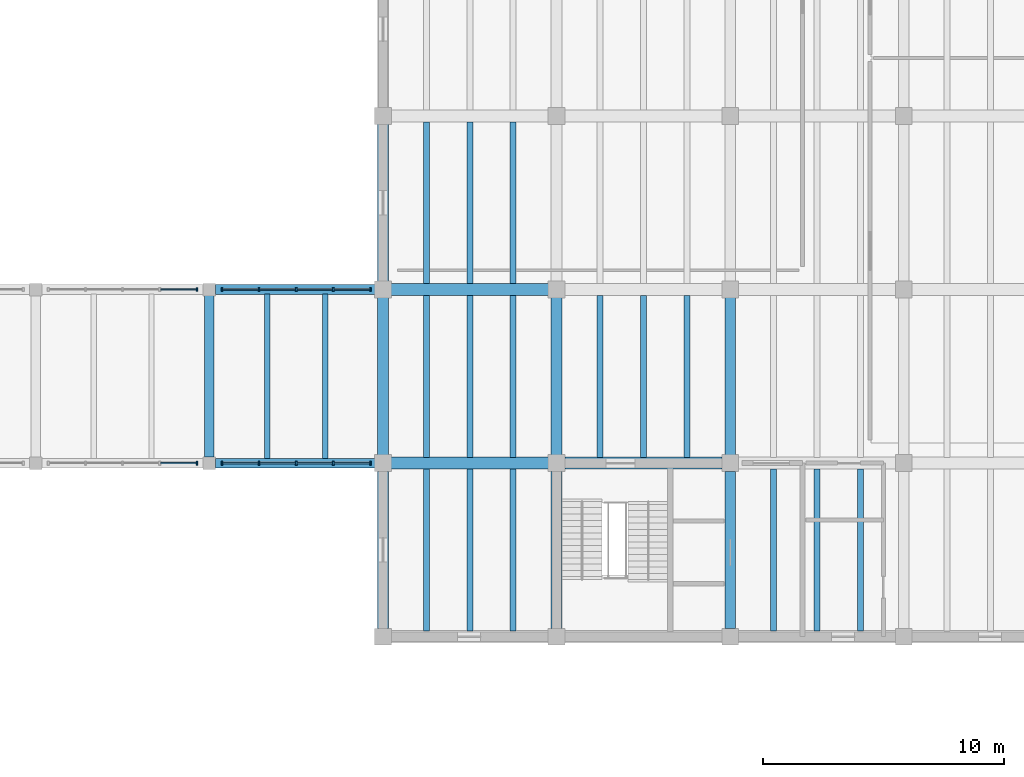
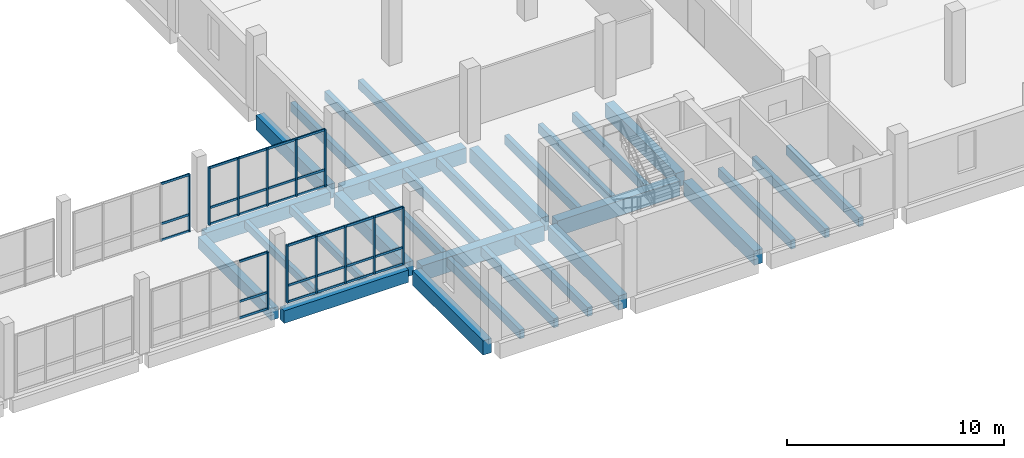
# One storey, part 38 of 72: 42 members, 30 beams, 4 elements without a shape of their own.
"""IFC4 building model written with IfcOpenShell, lengths in metres."""

from ifc_helpers import new_model, si_unit, direction, frame, origin, origin_2d, place, context, subcontext, project, spatial, rectangle, extrude, material, material_profile, profile_set, type_object, element, aggregate, save


model = new_model("IFC4")

# Units and contexts
model_context = context("Model", 3, precision=1e-05, world=origin(), true_north=direction((0.0, 1.0)))
body_context = subcontext(model_context, "Body", "Model", "MODEL_VIEW")
ifc_project = project(units=[si_unit("LENGTHUNIT", "METRE"), si_unit("AREAUNIT", "SQUARE_METRE"), si_unit("VOLUMEUNIT", "CUBIC_METRE"), si_unit("PLANEANGLEUNIT", "RADIAN"), si_unit("MASSUNIT", "GRAM", prefix="KILO")], contexts=[model_context])

# Site, building, storey
site_placement = place(None, origin())
site = spatial("IfcSite", under=ifc_project, at=site_placement, CompositionType="ELEMENT")
building_placement = place(site_placement, origin())
building = spatial("IfcBuilding", under=site, at=building_placement, Name="Qiaolan Assembly House", CompositionType="ELEMENT")
storey_placement = place(building_placement, frame((0.0, 0.0, 10.199951171875)))
storey = spatial("IfcBuildingStorey", under=building, at=storey_placement, Name="L02", CompositionType="ELEMENT", Elevation=10.199951171875)

# Beams
ifc_material_1 = material(Name="Concrete C40/50", Category="concrete")
ifc_material_profile_1 = material_profile(ifc_material_1, rectangle(XDim=0.39990234375, YDim=0.64990234375, at=origin_2d()), Name="RCB 400x650")
ifc_profile_set_1 = profile_set([ifc_material_profile_1], Name="Concrete C40/50")
beam_type_1 = type_object("IfcBeamType", Name="BM-RC-400x650", PredefinedType="BEAM", material=ifc_profile_set_1)
beam_placement = place(storey_placement, frame((129.60009765625, 36.25, -0.594970703125), z_axis=(0.0, 1.0, 0.0), x_axis=(-1.0, 0.0, 0.0)))
element("IfcBeam", 1, at=beam_placement, inside=storey, type_object=beam_type_1, Name="GB-06 beam BMY-CLS-L02-03-00", PredefinedType="BEAM", context=body_context, shape_type="SweptSolid", body=[
    extrude(rectangle(XDim=0.39990234375, YDim=0.64990234375, at=origin_2d()), origin(), (0.0, 0.0, 1.0), 6.699951171875),
])
ifc_material_profile_2 = material_profile(ifc_material_1, rectangle(XDim=0.39990234375, YDim=0.699951171875, at=origin_2d()), Name="RCB 400x700")
ifc_profile_set_2 = profile_set([ifc_material_profile_2], Name="Concrete C40/50")
beam_type_2 = type_object("IfcBeamType", Name="BM-RC-400x700", PredefinedType="BEAM", material=ifc_profile_set_2)
for number, where, z_axis, x_axis, name in (
    (2, (129.85009765625, 36.0, -0.619873046875), (1.0, 0.0, 0.0), (0.0, 1.0, 0.0), "GB-05 beam BMX-CLS-L02-03-00"),
    (3, (129.85009765625, 43.199951171875, -0.619873046875), (1.0, 0.0, 0.0), (0.0, 1.0, 0.0), "GB-05 beam BMX-CLS-L02-03-01"),
):
    element("IfcBeam", number, at=place(storey_placement, frame(where, z_axis=z_axis, x_axis=x_axis)), inside=storey, type_object=beam_type_2, Name=name, PredefinedType="BEAM", context=body_context, shape_type="SweptSolid", body=[
        extrude(rectangle(XDim=0.39990234375, YDim=0.699951171875, at=origin_2d()), origin(), (0.0, 0.0, 1.0), 6.60986328125),
    ])
ifc_material_profile_3 = material_profile(ifc_material_1, rectangle(XDim=0.449951171875, YDim=0.800048828125, at=origin_2d()), Name="RCB 450x800")
ifc_profile_set_3 = profile_set([ifc_material_profile_3], Name="Concrete C40/50")
beam_type_3 = type_object("IfcBeamType", Name="BM-RC-450x800", PredefinedType="BEAM", material=ifc_profile_set_3)
for number, where, z_axis, x_axis, name in (
    (4, (136.800048828125, 29.139892578125, -0.669921875), (0.0, 1.0, 0.0), (-1.0, 0.0, 0.0), "GB-03 beam BMY-LB-L02-00-00"),
    (5, (136.800048828125, 36.340087890625, -0.669921875), (0.0, 1.0, 0.0), (-1.0, 0.0, 0.0), "GB-03 beam BMY-LB-L02-00-01"),
    (6, (136.800048828125, 43.5400390625, -0.669921875), (0.0, 1.0, 0.0), (-1.0, 0.0, 0.0), "GB-03 beam BMY-LB-L02-00-02"),
    (7, (144.0, 29.139892578125, -0.669921875), (0.0, 1.0, 0.0), (-1.0, 0.0, 0.0), "GB-03 beam BMY-LB-L02-01-00"),
    (8, (144.0, 36.340087890625, -0.669921875), (0.0, 1.0, 0.0), (-1.0, 0.0, 0.0), "GB-03 beam BMY-LB-L02-01-01"),
    (9, (151.199951171875, 29.139892578125, -0.669921875), (0.0, 1.0, 0.0), (-1.0, 0.0, 0.0), "GB-03 beam BMY-LB-L02-02-00"),
    (10, (151.199951171875, 36.340087890625, -0.669921875), (0.0, 1.0, 0.0), (-1.0, 0.0, 0.0), "GB-03 beam BMY-LB-L02-02-01"),
):
    element("IfcBeam", number, at=place(storey_placement, frame(where, z_axis=z_axis, x_axis=x_axis)), inside=storey, type_object=beam_type_3, Name=name, PredefinedType="BEAM", context=body_context, shape_type="SweptSolid", body=[
        extrude(rectangle(XDim=0.449951171875, YDim=0.800048828125, at=origin_2d()), origin(), (0.0, 0.0, 1.0), 6.52001953125),
    ])
ifc_material_2 = material(Name="Concrete C45/55", Category="concrete")
ifc_material_profile_4 = material_profile(ifc_material_2, rectangle(XDim=0.5, YDim=0.85009765625, at=origin_2d()), Name="RCB 500x850")
ifc_profile_set_4 = profile_set([ifc_material_profile_4], Name="Concrete C45/55")
beam_type_4 = type_object("IfcBeamType", Name="BM-RC-500x850", PredefinedType="BEAM", material=ifc_profile_set_4)
for number, where, z_axis, x_axis, name in (
    (11, (137.139892578125, 36.0, -0.695068359375), (1.0, 0.0, 0.0), (0.0, 1.0, 0.0), "GB-02 beam BMX-LB-L02-00-01"),
    (12, (144.340087890625, 36.0, -0.695068359375), (1.0, 0.0, 0.0), (0.0, 1.0, 0.0), "GB-02 beam BMX-LB-L02-01-01"),
    (13, (137.139892578125, 43.199951171875, -0.695068359375), (1.0, 0.0, 0.0), (0.0, 1.0, 0.0), "GB-02 beam BMX-LB-L02-00-02"),
):
    element("IfcBeam", number, at=place(storey_placement, frame(where, z_axis=z_axis, x_axis=x_axis)), inside=storey, type_object=beam_type_4, Name=name, PredefinedType="BEAM", context=body_context, shape_type="SweptSolid", body=[
        extrude(rectangle(XDim=0.5, YDim=0.85009765625, at=origin_2d()), origin(), (0.0, 0.0, 1.0), 6.52001953125),
    ])

# Curtain wall, member
ifc_material_3 = material(Name="Anodised bronze aluminium", Category="aluminium")
curtain_wall_type = type_object("IfcCurtainWallType", Name="CW-CLOISTER-420", PredefinedType="NOTDEFINED", material=ifc_material_3)
curtain_wall_1_placement = place(storey_placement, origin())
curtain_wall_1 = element("IfcCurtainWall", 14, at=curtain_wall_1_placement, inside=storey, type_object=curtain_wall_type, Name="CW-05 South Cloister outer arcade L02-3", PredefinedType="NOTDEFINED")
ifc_material_profile_5 = material_profile(ifc_material_3, rectangle(XDim=0.070068359375, YDim=0.155029296875, at=origin_2d()), Name="MUL 70x155")
ifc_profile_set_5 = profile_set([ifc_material_profile_5], Name="Anodised bronze aluminium")
member_type_1 = type_object("IfcMemberType", Name="CW-CLOISTER-420-MUL", PredefinedType="MULLION", material=ifc_profile_set_5)
member_1_placement = place(storey_placement, frame((129.080078125, 36.0, 0.0), z_axis=(0.0, 0.0, 1.0), x_axis=(1.0, 0.0, 0.0)))
member_1 = element("IfcMember", 15, at=member_1_placement, type_object=member_type_1, Name="ML-06 mullion CW-CLS-OUT-L02-2-5", PredefinedType="MULLION", context=body_context, shape_type="SweptSolid", body=[
    extrude(rectangle(XDim=0.070068359375, YDim=0.155029296875, at=origin_2d()), origin(), (0.0, 0.0, 1.0), 3.219970703125),
])

curtain_wall_2_placement = place(storey_placement, origin())
curtain_wall_2 = element("IfcCurtainWall", 16, at=curtain_wall_2_placement, inside=storey, type_object=curtain_wall_type, Name="CW-05 South Cloister court arcade L02-3", PredefinedType="NOTDEFINED")
member_2_placement = place(storey_placement, frame((129.080078125, 43.199951171875, 0.0), z_axis=(0.0, 0.0, 1.0), x_axis=(-1.0, 0.0, 0.0)))
member_2 = element("IfcMember", 17, at=member_2_placement, type_object=member_type_1, Name="ML-06 mullion CW-CLS-CRT-L02-2-1", PredefinedType="MULLION", context=body_context, shape_type="SweptSolid", body=[
    extrude(rectangle(XDim=0.070068359375, YDim=0.155029296875, at=origin_2d()), origin(), (0.0, 0.0, 1.0), 3.219970703125),
])

# Curtain wall, members
curtain_wall_3_placement = place(storey_placement, origin())
curtain_wall_3 = element("IfcCurtainWall", 18, at=curtain_wall_3_placement, inside=storey, type_object=curtain_wall_type, Name="CW-05 South Cloister outer arcade L02-4", PredefinedType="NOTDEFINED")
member_3_placement = place(storey_placement, frame((130.1201171875, 36.0, 0.0), z_axis=(0.0, 0.0, 1.0), x_axis=(1.0, 0.0, 0.0)))
member_3 = element("IfcMember", 19, at=member_3_placement, type_object=member_type_1, Name="ML-06 mullion CW-CLS-OUT-L02-3-1", PredefinedType="MULLION", context=body_context, shape_type="SweptSolid", body=[
    extrude(rectangle(XDim=0.070068359375, YDim=0.155029296875, at=origin_2d()), origin(), (0.0, 0.0, 1.0), 3.219970703125),
])
member_4_placement = place(storey_placement, frame((131.659912109375, 36.0, 0.0), z_axis=(0.0, 0.0, 1.0), x_axis=(1.0, 0.0, 0.0)))
member_4 = element("IfcMember", 20, at=member_4_placement, type_object=member_type_1, Name="ML-06 mullion CW-CLS-OUT-L02-3-2", PredefinedType="MULLION", context=body_context, shape_type="SweptSolid", body=[
    extrude(rectangle(XDim=0.070068359375, YDim=0.155029296875, at=origin_2d()), origin(), (0.0, 0.0, 1.0), 3.219970703125),
])
member_5_placement = place(storey_placement, frame((133.199951171875, 36.0, 0.0), z_axis=(0.0, 0.0, 1.0), x_axis=(1.0, 0.0, 0.0)))
member_5 = element("IfcMember", 21, at=member_5_placement, type_object=member_type_1, Name="ML-06 mullion CW-CLS-OUT-L02-3-3", PredefinedType="MULLION", context=body_context, shape_type="SweptSolid", body=[
    extrude(rectangle(XDim=0.070068359375, YDim=0.155029296875, at=origin_2d()), origin(), (0.0, 0.0, 1.0), 3.219970703125),
])
member_6_placement = place(storey_placement, frame((134.739990234375, 36.0, 0.0), z_axis=(0.0, 0.0, 1.0), x_axis=(1.0, 0.0, 0.0)))
member_6 = element("IfcMember", 22, at=member_6_placement, type_object=member_type_1, Name="ML-06 mullion CW-CLS-OUT-L02-3-4", PredefinedType="MULLION", context=body_context, shape_type="SweptSolid", body=[
    extrude(rectangle(XDim=0.070068359375, YDim=0.155029296875, at=origin_2d()), origin(), (0.0, 0.0, 1.0), 3.219970703125),
])
member_7_placement = place(storey_placement, frame((136.280029296875, 36.0, 0.0), z_axis=(0.0, 0.0, 1.0), x_axis=(1.0, 0.0, 0.0)))
member_7 = element("IfcMember", 23, at=member_7_placement, type_object=member_type_1, Name="ML-06 mullion CW-CLS-OUT-L02-3-5", PredefinedType="MULLION", context=body_context, shape_type="SweptSolid", body=[
    extrude(rectangle(XDim=0.070068359375, YDim=0.155029296875, at=origin_2d()), origin(), (0.0, 0.0, 1.0), 3.219970703125),
])

curtain_wall_4_placement = place(storey_placement, origin())
curtain_wall_4 = element("IfcCurtainWall", 24, at=curtain_wall_4_placement, inside=storey, type_object=curtain_wall_type, Name="CW-05 South Cloister court arcade L02-4", PredefinedType="NOTDEFINED")
member_8_placement = place(storey_placement, frame((136.280029296875, 43.199951171875, 0.0), z_axis=(0.0, 0.0, 1.0), x_axis=(-1.0, 0.0, 0.0)))
member_8 = element("IfcMember", 25, at=member_8_placement, type_object=member_type_1, Name="ML-06 mullion CW-CLS-CRT-L02-3-1", PredefinedType="MULLION", context=body_context, shape_type="SweptSolid", body=[
    extrude(rectangle(XDim=0.070068359375, YDim=0.155029296875, at=origin_2d()), origin(), (0.0, 0.0, 1.0), 3.219970703125),
])
member_9_placement = place(storey_placement, frame((134.739990234375, 43.199951171875, 0.0), z_axis=(0.0, 0.0, 1.0), x_axis=(-1.0, 0.0, 0.0)))
member_9 = element("IfcMember", 26, at=member_9_placement, type_object=member_type_1, Name="ML-06 mullion CW-CLS-CRT-L02-3-2", PredefinedType="MULLION", context=body_context, shape_type="SweptSolid", body=[
    extrude(rectangle(XDim=0.070068359375, YDim=0.155029296875, at=origin_2d()), origin(), (0.0, 0.0, 1.0), 3.219970703125),
])
member_10_placement = place(storey_placement, frame((133.199951171875, 43.199951171875, 0.0), z_axis=(0.0, 0.0, 1.0), x_axis=(-1.0, 0.0, 0.0)))
member_10 = element("IfcMember", 27, at=member_10_placement, type_object=member_type_1, Name="ML-06 mullion CW-CLS-CRT-L02-3-3", PredefinedType="MULLION", context=body_context, shape_type="SweptSolid", body=[
    extrude(rectangle(XDim=0.070068359375, YDim=0.155029296875, at=origin_2d()), origin(), (0.0, 0.0, 1.0), 3.219970703125),
])
member_11_placement = place(storey_placement, frame((131.659912109375, 43.199951171875, 0.0), z_axis=(0.0, 0.0, 1.0), x_axis=(-1.0, 0.0, 0.0)))
member_11 = element("IfcMember", 28, at=member_11_placement, type_object=member_type_1, Name="ML-06 mullion CW-CLS-CRT-L02-3-4", PredefinedType="MULLION", context=body_context, shape_type="SweptSolid", body=[
    extrude(rectangle(XDim=0.070068359375, YDim=0.155029296875, at=origin_2d()), origin(), (0.0, 0.0, 1.0), 3.219970703125),
])
member_12_placement = place(storey_placement, frame((130.1201171875, 43.199951171875, 0.0), z_axis=(0.0, 0.0, 1.0), x_axis=(-1.0, 0.0, 0.0)))
member_12 = element("IfcMember", 29, at=member_12_placement, type_object=member_type_1, Name="ML-06 mullion CW-CLS-CRT-L02-3-5", PredefinedType="MULLION", context=body_context, shape_type="SweptSolid", body=[
    extrude(rectangle(XDim=0.070068359375, YDim=0.155029296875, at=origin_2d()), origin(), (0.0, 0.0, 1.0), 3.219970703125),
])

# Member
ifc_material_profile_6 = material_profile(ifc_material_3, rectangle(XDim=0.06201171875, YDim=0.125, at=origin_2d()), Name="TRN 62x125")
ifc_profile_set_6 = profile_set([ifc_material_profile_6], Name="Anodised bronze aluminium")
member_type_2 = type_object("IfcMemberType", Name="CW-CLOISTER-420-TRN", PredefinedType="USERDEFINED", material=ifc_profile_set_6)
member_13_placement = place(storey_placement, frame((127.574951171875, 36.0, 0.030029296875), z_axis=(1.0, 0.0, 0.0), x_axis=(0.0, 1.0, 0.0)))
member_13 = element("IfcMember", 30, at=member_13_placement, type_object=member_type_2, Name="TR-06 transom CW-CLS-OUT-L02-2-4-1", ObjectType="TRANSOM", PredefinedType="USERDEFINED", context=body_context, shape_type="SweptSolid", body=[
    extrude(rectangle(XDim=0.06201171875, YDim=0.125, at=origin_2d()), origin(), (0.0, 0.0, 1.0), 1.469970703125),
])

member_14_placement = place(storey_placement, frame((127.574951171875, 36.0, 0.949951171875), z_axis=(1.0, 0.0, 0.0), x_axis=(0.0, 1.0, 0.0)))
member_14 = element("IfcMember", 31, at=member_14_placement, type_object=member_type_2, Name="TR-06 transom CW-CLS-OUT-L02-2-4-2", ObjectType="TRANSOM", PredefinedType="USERDEFINED", context=body_context, shape_type="SweptSolid", body=[
    extrude(rectangle(XDim=0.06201171875, YDim=0.125, at=origin_2d()), origin(), (0.0, 0.0, 1.0), 1.469970703125),
])

member_15_placement = place(storey_placement, frame((127.574951171875, 36.0, 3.18994140625), z_axis=(1.0, 0.0, 0.0), x_axis=(0.0, 1.0, 0.0)))
member_15 = element("IfcMember", 32, at=member_15_placement, type_object=member_type_2, Name="TR-06 transom CW-CLS-OUT-L02-2-4-3", ObjectType="TRANSOM", PredefinedType="USERDEFINED", context=body_context, shape_type="SweptSolid", body=[
    extrude(rectangle(XDim=0.06201171875, YDim=0.125, at=origin_2d()), origin(), (0.0, 0.0, 1.0), 1.469970703125),
])

aggregate(curtain_wall_1, [member_1, member_13, member_14, member_15])

member_16_placement = place(storey_placement, frame((129.044921875, 43.199951171875, 0.030029296875), z_axis=(-1.0, 0.0, 0.0), x_axis=(0.0, -1.0, 0.0)))
member_16 = element("IfcMember", 33, at=member_16_placement, type_object=member_type_2, Name="TR-06 transom CW-CLS-CRT-L02-2-1-1", ObjectType="TRANSOM", PredefinedType="USERDEFINED", context=body_context, shape_type="SweptSolid", body=[
    extrude(rectangle(XDim=0.06201171875, YDim=0.125, at=origin_2d()), origin(), (0.0, 0.0, 1.0), 1.469970703125),
])

member_17_placement = place(storey_placement, frame((129.044921875, 43.199951171875, 0.949951171875), z_axis=(-1.0, 0.0, 0.0), x_axis=(0.0, -1.0, 0.0)))
member_17 = element("IfcMember", 34, at=member_17_placement, type_object=member_type_2, Name="TR-06 transom CW-CLS-CRT-L02-2-1-2", ObjectType="TRANSOM", PredefinedType="USERDEFINED", context=body_context, shape_type="SweptSolid", body=[
    extrude(rectangle(XDim=0.06201171875, YDim=0.125, at=origin_2d()), origin(), (0.0, 0.0, 1.0), 1.469970703125),
])

member_18_placement = place(storey_placement, frame((129.044921875, 43.199951171875, 3.18994140625), z_axis=(-1.0, 0.0, 0.0), x_axis=(0.0, -1.0, 0.0)))
member_18 = element("IfcMember", 35, at=member_18_placement, type_object=member_type_2, Name="TR-06 transom CW-CLS-CRT-L02-2-1-3", ObjectType="TRANSOM", PredefinedType="USERDEFINED", context=body_context, shape_type="SweptSolid", body=[
    extrude(rectangle(XDim=0.06201171875, YDim=0.125, at=origin_2d()), origin(), (0.0, 0.0, 1.0), 1.469970703125),
])

aggregate(curtain_wall_2, [member_2, member_16, member_17, member_18])

member_19_placement = place(storey_placement, frame((130.155029296875, 36.0, 0.030029296875), z_axis=(1.0, 0.0, 0.0), x_axis=(0.0, 1.0, 0.0)))
member_19 = element("IfcMember", 36, at=member_19_placement, type_object=member_type_2, Name="TR-06 transom CW-CLS-OUT-L02-3-1-1", ObjectType="TRANSOM", PredefinedType="USERDEFINED", context=body_context, shape_type="SweptSolid", body=[
    extrude(rectangle(XDim=0.06201171875, YDim=0.125, at=origin_2d()), origin(), (0.0, 0.0, 1.0), 1.469970703125),
])

member_20_placement = place(storey_placement, frame((130.155029296875, 36.0, 0.949951171875), z_axis=(1.0, 0.0, 0.0), x_axis=(0.0, 1.0, 0.0)))
member_20 = element("IfcMember", 37, at=member_20_placement, type_object=member_type_2, Name="TR-06 transom CW-CLS-OUT-L02-3-1-2", ObjectType="TRANSOM", PredefinedType="USERDEFINED", context=body_context, shape_type="SweptSolid", body=[
    extrude(rectangle(XDim=0.06201171875, YDim=0.125, at=origin_2d()), origin(), (0.0, 0.0, 1.0), 1.469970703125),
])

member_21_placement = place(storey_placement, frame((130.155029296875, 36.0, 3.18994140625), z_axis=(1.0, 0.0, 0.0), x_axis=(0.0, 1.0, 0.0)))
member_21 = element("IfcMember", 38, at=member_21_placement, type_object=member_type_2, Name="TR-06 transom CW-CLS-OUT-L02-3-1-3", ObjectType="TRANSOM", PredefinedType="USERDEFINED", context=body_context, shape_type="SweptSolid", body=[
    extrude(rectangle(XDim=0.06201171875, YDim=0.125, at=origin_2d()), origin(), (0.0, 0.0, 1.0), 1.469970703125),
])

member_22_placement = place(storey_placement, frame((131.695068359375, 36.0, 0.030029296875), z_axis=(1.0, 0.0, 0.0), x_axis=(0.0, 1.0, 0.0)))
member_22 = element("IfcMember", 39, at=member_22_placement, type_object=member_type_2, Name="TR-06 transom CW-CLS-OUT-L02-3-2-1", ObjectType="TRANSOM", PredefinedType="USERDEFINED", context=body_context, shape_type="SweptSolid", body=[
    extrude(rectangle(XDim=0.06201171875, YDim=0.125, at=origin_2d()), origin(), (0.0, 0.0, 1.0), 1.469970703125),
])

member_23_placement = place(storey_placement, frame((131.695068359375, 36.0, 0.949951171875), z_axis=(1.0, 0.0, 0.0), x_axis=(0.0, 1.0, 0.0)))
member_23 = element("IfcMember", 40, at=member_23_placement, type_object=member_type_2, Name="TR-06 transom CW-CLS-OUT-L02-3-2-2", ObjectType="TRANSOM", PredefinedType="USERDEFINED", context=body_context, shape_type="SweptSolid", body=[
    extrude(rectangle(XDim=0.06201171875, YDim=0.125, at=origin_2d()), origin(), (0.0, 0.0, 1.0), 1.469970703125),
])

member_24_placement = place(storey_placement, frame((131.695068359375, 36.0, 3.18994140625), z_axis=(1.0, 0.0, 0.0), x_axis=(0.0, 1.0, 0.0)))
member_24 = element("IfcMember", 41, at=member_24_placement, type_object=member_type_2, Name="TR-06 transom CW-CLS-OUT-L02-3-2-3", ObjectType="TRANSOM", PredefinedType="USERDEFINED", context=body_context, shape_type="SweptSolid", body=[
    extrude(rectangle(XDim=0.06201171875, YDim=0.125, at=origin_2d()), origin(), (0.0, 0.0, 1.0), 1.469970703125),
])

member_25_placement = place(storey_placement, frame((133.235107421875, 36.0, 0.030029296875), z_axis=(1.0, 0.0, 0.0), x_axis=(0.0, 1.0, 0.0)))
member_25 = element("IfcMember", 42, at=member_25_placement, type_object=member_type_2, Name="TR-06 transom CW-CLS-OUT-L02-3-3-1", ObjectType="TRANSOM", PredefinedType="USERDEFINED", context=body_context, shape_type="SweptSolid", body=[
    extrude(rectangle(XDim=0.06201171875, YDim=0.125, at=origin_2d()), origin(), (0.0, 0.0, 1.0), 1.469970703125),
])

member_26_placement = place(storey_placement, frame((133.235107421875, 36.0, 0.949951171875), z_axis=(1.0, 0.0, 0.0), x_axis=(0.0, 1.0, 0.0)))
member_26 = element("IfcMember", 43, at=member_26_placement, type_object=member_type_2, Name="TR-06 transom CW-CLS-OUT-L02-3-3-2", ObjectType="TRANSOM", PredefinedType="USERDEFINED", context=body_context, shape_type="SweptSolid", body=[
    extrude(rectangle(XDim=0.06201171875, YDim=0.125, at=origin_2d()), origin(), (0.0, 0.0, 1.0), 1.469970703125),
])

member_27_placement = place(storey_placement, frame((133.235107421875, 36.0, 3.18994140625), z_axis=(1.0, 0.0, 0.0), x_axis=(0.0, 1.0, 0.0)))
member_27 = element("IfcMember", 44, at=member_27_placement, type_object=member_type_2, Name="TR-06 transom CW-CLS-OUT-L02-3-3-3", ObjectType="TRANSOM", PredefinedType="USERDEFINED", context=body_context, shape_type="SweptSolid", body=[
    extrude(rectangle(XDim=0.06201171875, YDim=0.125, at=origin_2d()), origin(), (0.0, 0.0, 1.0), 1.469970703125),
])

member_28_placement = place(storey_placement, frame((134.77490234375, 36.0, 0.030029296875), z_axis=(1.0, 0.0, 0.0), x_axis=(0.0, 1.0, 0.0)))
member_28 = element("IfcMember", 45, at=member_28_placement, type_object=member_type_2, Name="TR-06 transom CW-CLS-OUT-L02-3-4-1", ObjectType="TRANSOM", PredefinedType="USERDEFINED", context=body_context, shape_type="SweptSolid", body=[
    extrude(rectangle(XDim=0.06201171875, YDim=0.125, at=origin_2d()), origin(), (0.0, 0.0, 1.0), 1.47021484375),
])

member_29_placement = place(storey_placement, frame((134.77490234375, 36.0, 0.949951171875), z_axis=(1.0, 0.0, 0.0), x_axis=(0.0, 1.0, 0.0)))
member_29 = element("IfcMember", 46, at=member_29_placement, type_object=member_type_2, Name="TR-06 transom CW-CLS-OUT-L02-3-4-2", ObjectType="TRANSOM", PredefinedType="USERDEFINED", context=body_context, shape_type="SweptSolid", body=[
    extrude(rectangle(XDim=0.06201171875, YDim=0.125, at=origin_2d()), origin(), (0.0, 0.0, 1.0), 1.47021484375),
])

member_30_placement = place(storey_placement, frame((134.77490234375, 36.0, 3.18994140625), z_axis=(1.0, 0.0, 0.0), x_axis=(0.0, 1.0, 0.0)))
member_30 = element("IfcMember", 47, at=member_30_placement, type_object=member_type_2, Name="TR-06 transom CW-CLS-OUT-L02-3-4-3", ObjectType="TRANSOM", PredefinedType="USERDEFINED", context=body_context, shape_type="SweptSolid", body=[
    extrude(rectangle(XDim=0.06201171875, YDim=0.125, at=origin_2d()), origin(), (0.0, 0.0, 1.0), 1.47021484375),
])

aggregate(curtain_wall_3, [member_3, member_4, member_5, member_6, member_7, member_19, member_20, member_21, member_22, member_23, member_24, member_25, member_26, member_27, member_28, member_29, member_30])

member_31_placement = place(storey_placement, frame((136.2451171875, 43.199951171875, 0.030029296875), z_axis=(-1.0, 0.0, 0.0), x_axis=(0.0, -1.0, 0.0)))
member_31 = element("IfcMember", 48, at=member_31_placement, type_object=member_type_2, Name="TR-06 transom CW-CLS-CRT-L02-3-1-1", ObjectType="TRANSOM", PredefinedType="USERDEFINED", context=body_context, shape_type="SweptSolid", body=[
    extrude(rectangle(XDim=0.06201171875, YDim=0.125, at=origin_2d()), origin(), (0.0, 0.0, 1.0), 1.47021484375),
])

member_32_placement = place(storey_placement, frame((136.2451171875, 43.199951171875, 0.949951171875), z_axis=(-1.0, 0.0, 0.0), x_axis=(0.0, -1.0, 0.0)))
member_32 = element("IfcMember", 49, at=member_32_placement, type_object=member_type_2, Name="TR-06 transom CW-CLS-CRT-L02-3-1-2", ObjectType="TRANSOM", PredefinedType="USERDEFINED", context=body_context, shape_type="SweptSolid", body=[
    extrude(rectangle(XDim=0.06201171875, YDim=0.125, at=origin_2d()), origin(), (0.0, 0.0, 1.0), 1.47021484375),
])

member_33_placement = place(storey_placement, frame((136.2451171875, 43.199951171875, 3.18994140625), z_axis=(-1.0, 0.0, 0.0), x_axis=(0.0, -1.0, 0.0)))
member_33 = element("IfcMember", 50, at=member_33_placement, type_object=member_type_2, Name="TR-06 transom CW-CLS-CRT-L02-3-1-3", ObjectType="TRANSOM", PredefinedType="USERDEFINED", context=body_context, shape_type="SweptSolid", body=[
    extrude(rectangle(XDim=0.06201171875, YDim=0.125, at=origin_2d()), origin(), (0.0, 0.0, 1.0), 1.47021484375),
])

member_34_placement = place(storey_placement, frame((134.705078125, 43.199951171875, 0.030029296875), z_axis=(-1.0, 0.0, 0.0), x_axis=(0.0, -1.0, 0.0)))
member_34 = element("IfcMember", 51, at=member_34_placement, type_object=member_type_2, Name="TR-06 transom CW-CLS-CRT-L02-3-2-1", ObjectType="TRANSOM", PredefinedType="USERDEFINED", context=body_context, shape_type="SweptSolid", body=[
    extrude(rectangle(XDim=0.06201171875, YDim=0.125, at=origin_2d()), origin(), (0.0, 0.0, 1.0), 1.469970703125),
])

member_35_placement = place(storey_placement, frame((134.705078125, 43.199951171875, 0.949951171875), z_axis=(-1.0, 0.0, 0.0), x_axis=(0.0, -1.0, 0.0)))
member_35 = element("IfcMember", 52, at=member_35_placement, type_object=member_type_2, Name="TR-06 transom CW-CLS-CRT-L02-3-2-2", ObjectType="TRANSOM", PredefinedType="USERDEFINED", context=body_context, shape_type="SweptSolid", body=[
    extrude(rectangle(XDim=0.06201171875, YDim=0.125, at=origin_2d()), origin(), (0.0, 0.0, 1.0), 1.469970703125),
])

member_36_placement = place(storey_placement, frame((134.705078125, 43.199951171875, 3.18994140625), z_axis=(-1.0, 0.0, 0.0), x_axis=(0.0, -1.0, 0.0)))
member_36 = element("IfcMember", 53, at=member_36_placement, type_object=member_type_2, Name="TR-06 transom CW-CLS-CRT-L02-3-2-3", ObjectType="TRANSOM", PredefinedType="USERDEFINED", context=body_context, shape_type="SweptSolid", body=[
    extrude(rectangle(XDim=0.06201171875, YDim=0.125, at=origin_2d()), origin(), (0.0, 0.0, 1.0), 1.469970703125),
])

member_37_placement = place(storey_placement, frame((133.1650390625, 43.199951171875, 0.030029296875), z_axis=(-1.0, 0.0, 0.0), x_axis=(0.0, -1.0, 0.0)))
member_37 = element("IfcMember", 54, at=member_37_placement, type_object=member_type_2, Name="TR-06 transom CW-CLS-CRT-L02-3-3-1", ObjectType="TRANSOM", PredefinedType="USERDEFINED", context=body_context, shape_type="SweptSolid", body=[
    extrude(rectangle(XDim=0.06201171875, YDim=0.125, at=origin_2d()), origin(), (0.0, 0.0, 1.0), 1.469970703125),
])

member_38_placement = place(storey_placement, frame((133.1650390625, 43.199951171875, 0.949951171875), z_axis=(-1.0, 0.0, 0.0), x_axis=(0.0, -1.0, 0.0)))
member_38 = element("IfcMember", 55, at=member_38_placement, type_object=member_type_2, Name="TR-06 transom CW-CLS-CRT-L02-3-3-2", ObjectType="TRANSOM", PredefinedType="USERDEFINED", context=body_context, shape_type="SweptSolid", body=[
    extrude(rectangle(XDim=0.06201171875, YDim=0.125, at=origin_2d()), origin(), (0.0, 0.0, 1.0), 1.469970703125),
])

member_39_placement = place(storey_placement, frame((133.1650390625, 43.199951171875, 3.18994140625), z_axis=(-1.0, 0.0, 0.0), x_axis=(0.0, -1.0, 0.0)))
member_39 = element("IfcMember", 56, at=member_39_placement, type_object=member_type_2, Name="TR-06 transom CW-CLS-CRT-L02-3-3-3", ObjectType="TRANSOM", PredefinedType="USERDEFINED", context=body_context, shape_type="SweptSolid", body=[
    extrude(rectangle(XDim=0.06201171875, YDim=0.125, at=origin_2d()), origin(), (0.0, 0.0, 1.0), 1.469970703125),
])

member_40_placement = place(storey_placement, frame((131.625, 43.199951171875, 0.030029296875), z_axis=(-1.0, 0.0, 0.0), x_axis=(0.0, -1.0, 0.0)))
member_40 = element("IfcMember", 57, at=member_40_placement, type_object=member_type_2, Name="TR-06 transom CW-CLS-CRT-L02-3-4-1", ObjectType="TRANSOM", PredefinedType="USERDEFINED", context=body_context, shape_type="SweptSolid", body=[
    extrude(rectangle(XDim=0.06201171875, YDim=0.125, at=origin_2d()), origin(), (0.0, 0.0, 1.0), 1.469970703125),
])

member_41_placement = place(storey_placement, frame((131.625, 43.199951171875, 0.949951171875), z_axis=(-1.0, 0.0, 0.0), x_axis=(0.0, -1.0, 0.0)))
member_41 = element("IfcMember", 58, at=member_41_placement, type_object=member_type_2, Name="TR-06 transom CW-CLS-CRT-L02-3-4-2", ObjectType="TRANSOM", PredefinedType="USERDEFINED", context=body_context, shape_type="SweptSolid", body=[
    extrude(rectangle(XDim=0.06201171875, YDim=0.125, at=origin_2d()), origin(), (0.0, 0.0, 1.0), 1.469970703125),
])

member_42_placement = place(storey_placement, frame((131.625, 43.199951171875, 3.18994140625), z_axis=(-1.0, 0.0, 0.0), x_axis=(0.0, -1.0, 0.0)))
member_42 = element("IfcMember", 59, at=member_42_placement, type_object=member_type_2, Name="TR-06 transom CW-CLS-CRT-L02-3-4-3", ObjectType="TRANSOM", PredefinedType="USERDEFINED", context=body_context, shape_type="SweptSolid", body=[
    extrude(rectangle(XDim=0.06201171875, YDim=0.125, at=origin_2d()), origin(), (0.0, 0.0, 1.0), 1.469970703125),
])

aggregate(curtain_wall_4, [member_8, member_9, member_10, member_11, member_12, member_31, member_32, member_33, member_34, member_35, member_36, member_37, member_38, member_39, member_40, member_41, member_42])

# Beams
ifc_material_profile_7 = material_profile(ifc_material_1, rectangle(XDim=0.219970703125, YDim=0.419921875, at=origin_2d()), Name="RCB 220x420")
ifc_profile_set_7 = profile_set([ifc_material_profile_7], Name="Concrete C40/50")
beam_type_5 = type_object("IfcBeamType", Name="JST-RC-220x420", PredefinedType="JOIST", material=ifc_profile_set_7)
for number, where, z_axis, x_axis, name in (
    (60, (132.0, 36.194091796875, -0.47998046875), (0.0, 1.0, 0.0), (-1.0, 0.0, 0.0), "RJ-03 beam JST-CLS-L02-03-00-1"),
    (61, (134.39990234375, 36.194091796875, -0.47998046875), (0.0, 1.0, 0.0), (-1.0, 0.0, 0.0), "RJ-03 beam JST-CLS-L02-03-00-2"),
):
    element("IfcBeam", number, at=place(storey_placement, frame(where, z_axis=z_axis, x_axis=x_axis)), inside=storey, type_object=beam_type_5, Name=name, PredefinedType="JOIST", context=body_context, shape_type="SweptSolid", body=[
        extrude(rectangle(XDim=0.219970703125, YDim=0.419921875, at=origin_2d()), origin(), (0.0, 0.0, 1.0), 6.81201171875),
    ])
ifc_material_profile_8 = material_profile(ifc_material_1, rectangle(XDim=0.25, YDim=0.5, at=origin_2d()), Name="RCB 250x500")
ifc_profile_set_8 = profile_set([ifc_material_profile_8], Name="Concrete C40/50")
beam_type_6 = type_object("IfcBeamType", Name="JST-RC-250x500", PredefinedType="JOIST", material=ifc_profile_set_8)
for number, where, z_axis, x_axis, name in (
    (62, (138.60009765625, 29.0439453125, -0.52001953125), (0.0, 1.0, 0.0), (-1.0, 0.0, 0.0), "RJ-01 beam JST-LB-L02-00-00-1"),
    (63, (140.39990234375, 29.0439453125, -0.52001953125), (0.0, 1.0, 0.0), (-1.0, 0.0, 0.0), "RJ-01 beam JST-LB-L02-00-00-2"),
    (64, (142.199951171875, 29.0439453125, -0.52001953125), (0.0, 1.0, 0.0), (-1.0, 0.0, 0.0), "RJ-01 beam JST-LB-L02-00-00-3"),
    (65, (138.60009765625, 36.243896484375, -0.52001953125), (0.0, 1.0, 0.0), (-1.0, 0.0, 0.0), "RJ-01 beam JST-LB-L02-00-01-1"),
    (66, (140.39990234375, 36.243896484375, -0.52001953125), (0.0, 1.0, 0.0), (-1.0, 0.0, 0.0), "RJ-01 beam JST-LB-L02-00-01-2"),
    (67, (142.199951171875, 36.243896484375, -0.52001953125), (0.0, 1.0, 0.0), (-1.0, 0.0, 0.0), "RJ-01 beam JST-LB-L02-00-01-3"),
):
    element("IfcBeam", number, at=place(storey_placement, frame(where, z_axis=z_axis, x_axis=x_axis)), inside=storey, type_object=beam_type_6, Name=name, PredefinedType="JOIST", context=body_context, shape_type="SweptSolid", body=[
        extrude(rectangle(XDim=0.25, YDim=0.5, at=origin_2d()), origin(), (0.0, 0.0, 1.0), 6.712158203125),
    ])
for number, where, z_axis, x_axis, name in (
    (68, (138.60009765625, 43.444091796875, -0.52001953125), (0.0, 1.0, 0.0), (-1.0, 0.0, 0.0), "RJ-01 beam JST-LB-L02-00-02-1"),
    (69, (140.39990234375, 43.444091796875, -0.52001953125), (0.0, 1.0, 0.0), (-1.0, 0.0, 0.0), "RJ-01 beam JST-LB-L02-00-02-2"),
    (70, (142.199951171875, 43.444091796875, -0.52001953125), (0.0, 1.0, 0.0), (-1.0, 0.0, 0.0), "RJ-01 beam JST-LB-L02-00-02-3"),
):
    element("IfcBeam", number, at=place(storey_placement, frame(where, z_axis=z_axis, x_axis=x_axis)), inside=storey, type_object=beam_type_6, Name=name, PredefinedType="JOIST", context=body_context, shape_type="SweptSolid", body=[
        extrude(rectangle(XDim=0.25, YDim=0.5, at=origin_2d()), origin(), (0.0, 0.0, 1.0), 6.7119140625),
    ])
for number, where, z_axis, x_axis, name in (
    (71, (145.800048828125, 36.243896484375, -0.52001953125), (0.0, 1.0, 0.0), (-1.0, 0.0, 0.0), "RJ-01 beam JST-LB-L02-01-01-1"),
    (72, (147.60009765625, 36.243896484375, -0.52001953125), (0.0, 1.0, 0.0), (-1.0, 0.0, 0.0), "RJ-01 beam JST-LB-L02-01-01-2"),
    (73, (149.39990234375, 36.243896484375, -0.52001953125), (0.0, 1.0, 0.0), (-1.0, 0.0, 0.0), "RJ-01 beam JST-LB-L02-01-01-3"),
    (74, (153.0, 29.0439453125, -0.52001953125), (0.0, 1.0, 0.0), (-1.0, 0.0, 0.0), "RJ-01 beam JST-LB-L02-02-00-1"),
    (75, (154.800048828125, 29.0439453125, -0.52001953125), (0.0, 1.0, 0.0), (-1.0, 0.0, 0.0), "RJ-01 beam JST-LB-L02-02-00-2"),
    (76, (156.60009765625, 29.0439453125, -0.52001953125), (0.0, 1.0, 0.0), (-1.0, 0.0, 0.0), "RJ-01 beam JST-LB-L02-02-00-3"),
):
    element("IfcBeam", number, at=place(storey_placement, frame(where, z_axis=z_axis, x_axis=x_axis)), inside=storey, type_object=beam_type_6, Name=name, PredefinedType="JOIST", context=body_context, shape_type="SweptSolid", body=[
        extrude(rectangle(XDim=0.25, YDim=0.5, at=origin_2d()), origin(), (0.0, 0.0, 1.0), 6.712158203125),
    ])

save(model, "model.ifc")
